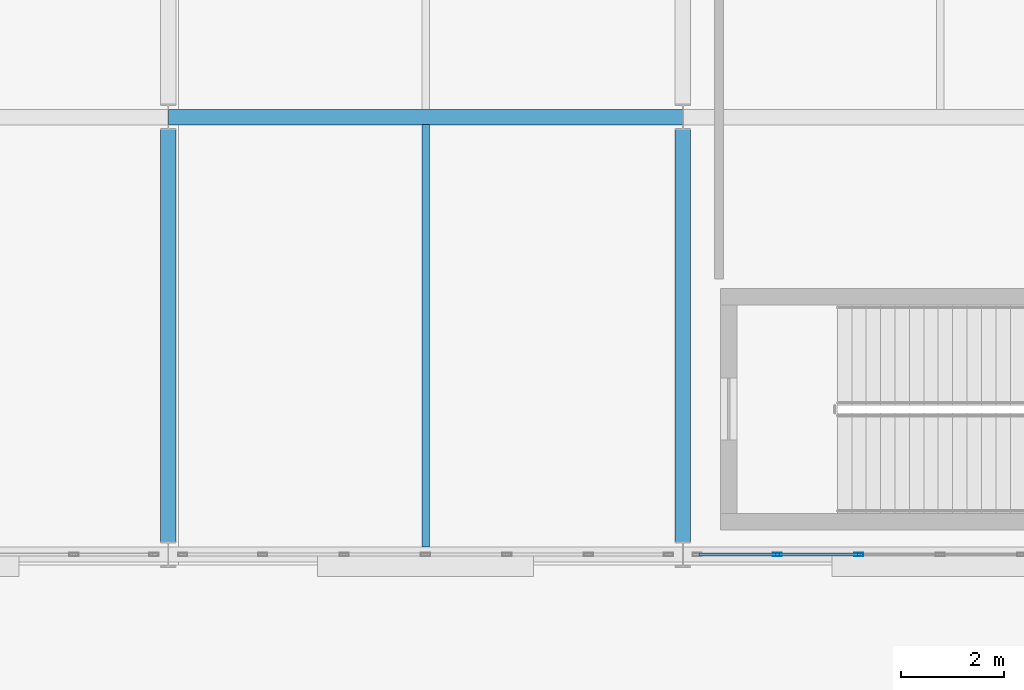
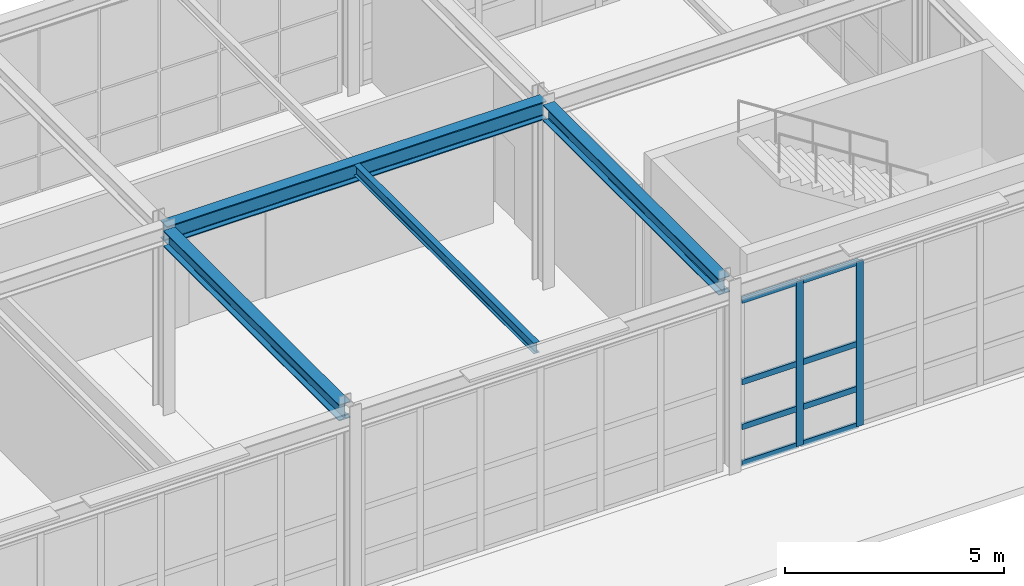
# One storey, part 102 of 210: 10 members, 4 beams, 1 element without a shape of its own.
"""IFC4 building model written with IfcOpenShell, lengths in metres."""

from ifc_helpers import new_model, si_unit, direction, frame, origin, origin_2d, place, context, subcontext, project, spatial, hollow_rectangle, i_section, extrude, material, material_profile, profile_set, type_object, element, aggregate, save


model = new_model("IFC4")

# Units and contexts
model_context = context("Model", 3, precision=1e-05, world=origin(), true_north=direction((0.0, 1.0)))
body_context = subcontext(model_context, "Body", "Model", "MODEL_VIEW")
ifc_project = project(units=[si_unit("LENGTHUNIT", "METRE"), si_unit("AREAUNIT", "SQUARE_METRE"), si_unit("VOLUMEUNIT", "CUBIC_METRE"), si_unit("PLANEANGLEUNIT", "RADIAN"), si_unit("MASSUNIT", "GRAM", prefix="KILO")], contexts=[model_context])

# Site, building, storey
site_placement = place(None, origin())
site = spatial("IfcSite", under=ifc_project, at=site_placement, CompositionType="ELEMENT")
building_placement = place(site_placement, origin())
building = spatial("IfcBuilding", under=site, at=building_placement, Name="Kaldris Quays Convention Centre", CompositionType="ELEMENT")
storey_placement = place(building_placement, frame((0.0, 0.0, 6.0)))
storey = spatial("IfcBuildingStorey", under=building, at=storey_placement, Name="L01", CompositionType="ELEMENT", Elevation=6.0)

# Curtain wall, members
ifc_material_1 = material(Name="Anodized aluminium AW-6060 and triple glazing", Category="aluminium")
curtain_wall_type = type_object("IfcCurtainWallType", Name="UNITISED CURTAIN WALL CW02", PredefinedType="NOTDEFINED", material=ifc_material_1)
curtain_wall_placement = place(storey_placement, origin())
curtain_wall = element("IfcCurtainWall", 1, at=curtain_wall_placement, inside=storey, type_object=curtain_wall_type, Name="L01 Unitised Curtain Wall CW02 193", PredefinedType="NOTDEFINED")
ifc_material_2 = material(Name="Anodized aluminium AW-6060", Category="aluminium")
ifc_material_profile_1 = material_profile(ifc_material_2, hollow_rectangle(XDim=0.06005859375, YDim=0.179931640625, WallThickness=0.0048828125, at=origin_2d()), Name="RHS 180x60x5")
ifc_profile_set_1 = profile_set([ifc_material_profile_1], Name="Anodized aluminium AW-6060")
member_type_1 = type_object("IfcMemberType", Name="CURTAIN MULLION CWM2", PredefinedType="MULLION", material=ifc_profile_set_1)
member_1_placement = place(storey_placement, frame((195.833251953125, 20.0, 0.0), z_axis=(0.0, 0.0, 1.0), x_axis=(0.0, 1.0, 0.0)))
member_1 = element("IfcMember", 2, at=member_1_placement, type_object=member_type_1, Name="CW02 mullion 2", PredefinedType="MULLION", context=body_context, shape_type="SweptSolid", body=[
    extrude(hollow_rectangle(XDim=0.06005859375, YDim=0.179931640625, WallThickness=0.0048828125, at=origin_2d()), origin(), (0.0, 0.0, 1.0), 4.60009765625),
])
member_2_placement = place(storey_placement, frame((197.416748046875, 20.0, 0.0), z_axis=(0.0, 0.0, 1.0), x_axis=(0.0, 1.0, 0.0)))
member_2 = element("IfcMember", 3, at=member_2_placement, type_object=member_type_1, Name="CW02 mullion 3", PredefinedType="MULLION", context=body_context, shape_type="SweptSolid", body=[
    extrude(hollow_rectangle(XDim=0.06005859375, YDim=0.179931640625, WallThickness=0.0048828125, at=origin_2d()), origin(), (0.0, 0.0, 1.0), 4.60009765625),
])
ifc_material_profile_2 = material_profile(ifc_material_2, hollow_rectangle(XDim=0.06005859375, YDim=0.159912109375, WallThickness=0.00390625, at=origin_2d()), Name="RHS 160x60x4")
ifc_profile_set_2 = profile_set([ifc_material_profile_2], Name="Anodized aluminium AW-6060")
member_type_2 = type_object("IfcMemberType", Name="CURTAIN TRANSOM CWT2", PredefinedType="USERDEFINED", material=ifc_profile_set_2)
member_3_placement = place(storey_placement, frame((194.31005859375, 20.0, 0.030029296875), z_axis=(1.0, 0.0, 0.0), x_axis=(0.0, 1.0, 0.0)))
member_3 = element("IfcMember", 4, at=member_3_placement, type_object=member_type_2, Name="CW02 transom 1.1", ObjectType="TRANSOM", PredefinedType="USERDEFINED", context=body_context, shape_type="SweptSolid", body=[
    extrude(hollow_rectangle(XDim=0.06005859375, YDim=0.159912109375, WallThickness=0.00390625, at=origin_2d()), origin(), (0.0, 0.0, 1.0), 1.4931640625),
])
member_4_placement = place(storey_placement, frame((194.31005859375, 20.0, 1.050048828125), z_axis=(1.0, 0.0, 0.0), x_axis=(0.0, 1.0, 0.0)))
member_4 = element("IfcMember", 5, at=member_4_placement, type_object=member_type_2, Name="CW02 transom 1.2", ObjectType="TRANSOM", PredefinedType="USERDEFINED", context=body_context, shape_type="SweptSolid", body=[
    extrude(hollow_rectangle(XDim=0.06005859375, YDim=0.159912109375, WallThickness=0.00390625, at=origin_2d()), origin(), (0.0, 0.0, 1.0), 1.4931640625),
])
member_5_placement = place(storey_placement, frame((194.31005859375, 20.0, 2.300048828125), z_axis=(1.0, 0.0, 0.0), x_axis=(0.0, 1.0, 0.0)))
member_5 = element("IfcMember", 6, at=member_5_placement, type_object=member_type_2, Name="CW02 transom 1.3", ObjectType="TRANSOM", PredefinedType="USERDEFINED", context=body_context, shape_type="SweptSolid", body=[
    extrude(hollow_rectangle(XDim=0.06005859375, YDim=0.159912109375, WallThickness=0.00390625, at=origin_2d()), origin(), (0.0, 0.0, 1.0), 1.4931640625),
])
member_6_placement = place(storey_placement, frame((194.31005859375, 20.0, 4.570068359375), z_axis=(1.0, 0.0, 0.0), x_axis=(0.0, 1.0, 0.0)))
member_6 = element("IfcMember", 7, at=member_6_placement, type_object=member_type_2, Name="CW02 transom 1.4", ObjectType="TRANSOM", PredefinedType="USERDEFINED", context=body_context, shape_type="SweptSolid", body=[
    extrude(hollow_rectangle(XDim=0.06005859375, YDim=0.159912109375, WallThickness=0.00390625, at=origin_2d()), origin(), (0.0, 0.0, 1.0), 1.4931640625),
])
member_7_placement = place(storey_placement, frame((195.86328125, 20.0, 0.030029296875), z_axis=(1.0, 0.0, 0.0), x_axis=(0.0, 1.0, 0.0)))
member_7 = element("IfcMember", 8, at=member_7_placement, type_object=member_type_2, Name="CW02 transom 2.1", ObjectType="TRANSOM", PredefinedType="USERDEFINED", context=body_context, shape_type="SweptSolid", body=[
    extrude(hollow_rectangle(XDim=0.06005859375, YDim=0.159912109375, WallThickness=0.00390625, at=origin_2d()), origin(), (0.0, 0.0, 1.0), 1.5234375),
])
member_8_placement = place(storey_placement, frame((195.86328125, 20.0, 1.050048828125), z_axis=(1.0, 0.0, 0.0), x_axis=(0.0, 1.0, 0.0)))
member_8 = element("IfcMember", 9, at=member_8_placement, type_object=member_type_2, Name="CW02 transom 2.2", ObjectType="TRANSOM", PredefinedType="USERDEFINED", context=body_context, shape_type="SweptSolid", body=[
    extrude(hollow_rectangle(XDim=0.06005859375, YDim=0.159912109375, WallThickness=0.00390625, at=origin_2d()), origin(), (0.0, 0.0, 1.0), 1.5234375),
])
member_9_placement = place(storey_placement, frame((195.86328125, 20.0, 2.300048828125), z_axis=(1.0, 0.0, 0.0), x_axis=(0.0, 1.0, 0.0)))
member_9 = element("IfcMember", 10, at=member_9_placement, type_object=member_type_2, Name="CW02 transom 2.3", ObjectType="TRANSOM", PredefinedType="USERDEFINED", context=body_context, shape_type="SweptSolid", body=[
    extrude(hollow_rectangle(XDim=0.06005859375, YDim=0.159912109375, WallThickness=0.00390625, at=origin_2d()), origin(), (0.0, 0.0, 1.0), 1.5234375),
])
member_10_placement = place(storey_placement, frame((195.86328125, 20.0, 4.570068359375), z_axis=(1.0, 0.0, 0.0), x_axis=(0.0, 1.0, 0.0)))
member_10 = element("IfcMember", 11, at=member_10_placement, type_object=member_type_2, Name="CW02 transom 2.4", ObjectType="TRANSOM", PredefinedType="USERDEFINED", context=body_context, shape_type="SweptSolid", body=[
    extrude(hollow_rectangle(XDim=0.06005859375, YDim=0.159912109375, WallThickness=0.00390625, at=origin_2d()), origin(), (0.0, 0.0, 1.0), 1.5234375),
])
aggregate(curtain_wall, [member_1, member_2, member_3, member_4, member_5, member_6, member_7, member_8, member_9, member_10])

# Beams
ifc_material_3 = material(Name="Steel S355J2", Category="steel")
ifc_material_profile_3 = material_profile(ifc_material_3, i_section(OverallWidth=0.300048828125, OverallDepth=0.5, WebThickness=0.014404296875, FlangeThickness=0.028076171875, FilletRadius=0.027099609375, at=origin_2d()), Name="HEB 500")
ifc_profile_set_3 = profile_set([ifc_material_profile_3], Name="Steel S355J2")
beam_type_1 = type_object("IfcBeamType", Name="STRUCTURAL BEAM BM06", PredefinedType="BEAM", material=ifc_profile_set_3)
beam_1_placement = place(storey_placement, frame((184.001220703125, 28.5, 4.9130859375), z_axis=(1.0, 0.0, 0.0), x_axis=(0.0, 1.0, 0.0)))
element("IfcBeam", 12, at=beam_1_placement, inside=storey, type_object=beam_type_1, Name="L01 Girder BM06 9", PredefinedType="BEAM", context=body_context, shape_type="SweptSolid", body=[
    extrude(i_section(OverallWidth=0.300048828125, OverallDepth=0.5, WebThickness=0.014404296875, FlangeThickness=0.028076171875, FilletRadius=0.027099609375, at=origin_2d()), origin(), (0.0, 0.0, 1.0), 9.99755859375),
])
ifc_material_profile_4 = material_profile(ifc_material_3, i_section(OverallWidth=0.300048828125, OverallDepth=0.449951171875, WebThickness=0.013916015625, FlangeThickness=0.02587890625, FilletRadius=0.027099609375, at=origin_2d()), Name="HEB 450")
ifc_profile_set_4 = profile_set([ifc_material_profile_4], Name="Steel S355J2")
beam_type_2 = type_object("IfcBeamType", Name="STRUCTURAL BEAM BM07", PredefinedType="BEAM", material=ifc_profile_set_4)
for number, where, z_axis, x_axis, name in (
    (13, (184.0, 20.243896484375, 4.93798828125), (0.0, 1.0, 0.0), (-1.0, 0.0, 0.0), "L01 Girder BM07 22"),
    (14, (194.0, 20.243896484375, 4.93798828125), (0.0, 1.0, 0.0), (-1.0, 0.0, 0.0), "L01 Girder BM07 24"),
):
    element("IfcBeam", number, at=place(storey_placement, frame(where, z_axis=z_axis, x_axis=x_axis)), inside=storey, type_object=beam_type_2, Name=name, PredefinedType="BEAM", context=body_context, shape_type="SweptSolid", body=[
        extrude(i_section(OverallWidth=0.300048828125, OverallDepth=0.449951171875, WebThickness=0.013916015625, FlangeThickness=0.02587890625, FilletRadius=0.027099609375, at=origin_2d()), origin(), (0.0, 0.0, 1.0), 8.01220703125),
    ])
ifc_material_profile_5 = material_profile(ifc_material_3, i_section(OverallWidth=0.14990234375, OverallDepth=0.300048828125, WebThickness=0.007080078125, FlangeThickness=0.0107421875, FilletRadius=0.014892578125, at=origin_2d()), Name="IPE 300")
ifc_profile_set_5 = profile_set([ifc_material_profile_5], Name="Steel S355J2")
beam_type_3 = type_object("IfcBeamType", Name="STRUCTURAL BEAM JT04", PredefinedType="JOIST", material=ifc_profile_set_5)
beam_2_placement = place(storey_placement, frame((189.0, 20.14404296875, 5.012939453125), z_axis=(0.0, 1.0, 0.0), x_axis=(-1.0, 0.0, 0.0)))
element("IfcBeam", 15, at=beam_2_placement, inside=storey, type_object=beam_type_3, Name="L01 Secondary Joist JT04 4", PredefinedType="JOIST", context=body_context, shape_type="SweptSolid", body=[
    extrude(i_section(OverallWidth=0.14990234375, OverallDepth=0.300048828125, WebThickness=0.007080078125, FlangeThickness=0.0107421875, FilletRadius=0.014892578125, at=origin_2d()), origin(), (0.0, 0.0, 1.0), 8.2119140625),
])

save(model, "model.ifc")
